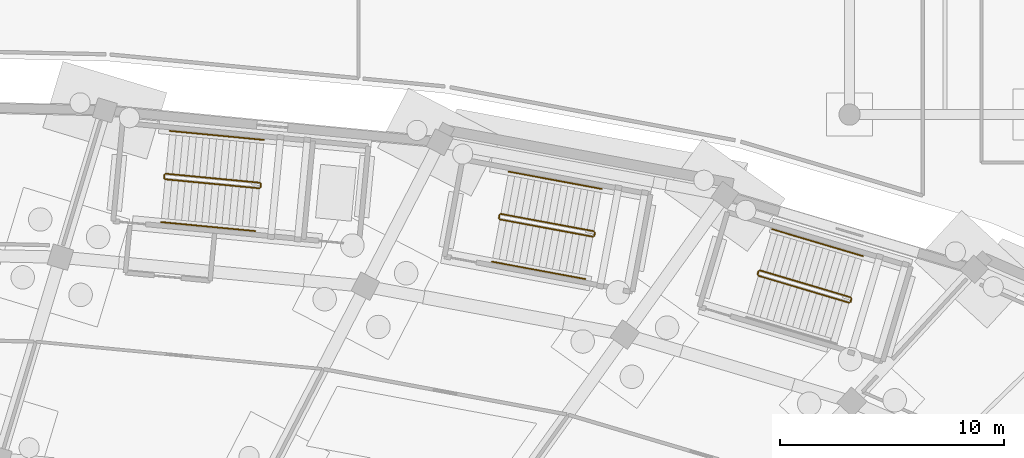
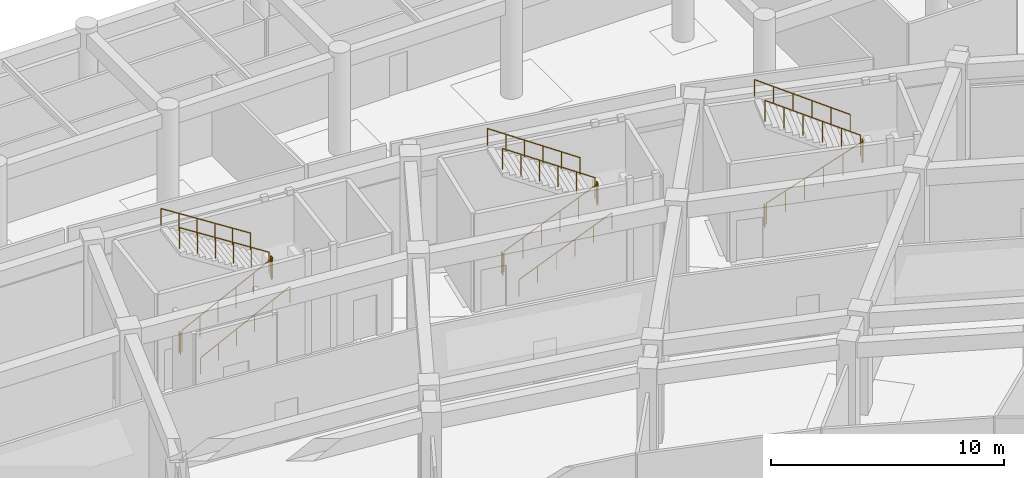
# One storey, part 86 of 88: 17 railings.
"""IFC4 building model written with IfcOpenShell, lengths in metres."""

from ifc_helpers import new_model, si_unit, direction, frame, origin, origin_2d, place, context, subcontext, project, spatial, circle, extrude, material, type_object, element, save


model = new_model("IFC4")

# Units and contexts
model_context = context("Model", 3, precision=1e-05, world=origin(), true_north=direction((0.0, 1.0)))
body_context = subcontext(model_context, "Body", "Model", "MODEL_VIEW")
ifc_project = project(units=[si_unit("LENGTHUNIT", "METRE"), si_unit("AREAUNIT", "SQUARE_METRE"), si_unit("VOLUMEUNIT", "CUBIC_METRE"), si_unit("PLANEANGLEUNIT", "RADIAN"), si_unit("MASSUNIT", "GRAM", prefix="KILO")], contexts=[model_context])

# Site, building, storey
site_placement = place(None, origin())
site = spatial("IfcSite", under=ifc_project, at=site_placement, CompositionType="ELEMENT")
building_placement = place(site_placement, origin())
building = spatial("IfcBuilding", under=site, at=building_placement, Name="Mphavela Belvedere Stadium", CompositionType="ELEMENT")
storey_placement = place(building_placement, origin())
storey = spatial("IfcBuildingStorey", under=building, at=storey_placement, Name="L00", CompositionType="ELEMENT", Elevation=0.0)

# Railings
ifc_material_1 = material(Name="Painted galvanised steel stair guardrail", Category="steel")
railing_type_1 = type_object("IfcRailingType", Name="RAL-GUARD-1120", PredefinedType="GUARDRAIL", material=ifc_material_1)
railing_1_placement = place(storey_placement, frame((139.807861328125, 157.11181640625, 0.179931640625)))
element("IfcRailing", 1, at=railing_1_placement, inside=storey, type_object=railing_type_1, Name="L00 ST-C03 stair guard 1", PredefinedType="GUARDRAIL", context=body_context, shape_type="SweptSolid", body=[
    extrude(circle(Radius=0.02392578125, at=origin_2d()), frame((0.0, 0.0, 1.09619140625), z_axis=(0.855114853653, -0.08159303563, 0.511977698341), x_axis=(0.094986211004, 0.995478588278, 0.0)), (0.0, 0.0, 1.0), 4.922119140625),
    extrude(circle(Radius=0.02099609375, at=origin_2d()), origin(), (0.0, 0.0, 1.0), 1.072021484375),
    extrude(circle(Radius=0.02099609375, at=origin_2d()), frame((0.841796875, -0.080322265625, 0.50390625)), (0.0, 0.0, 1.0), 1.072021484375),
    extrude(circle(Radius=0.02099609375, at=origin_2d()), frame((1.68359375, -0.16064453125, 1.008056640625)), (0.0, 0.0, 1.0), 1.072021484375),
    extrude(circle(Radius=0.02099609375, at=origin_2d()), frame((2.525390625, -0.240966796875, 1.511962890625)), (0.0, 0.0, 1.0), 1.072021484375),
    extrude(circle(Radius=0.02099609375, at=origin_2d()), frame((3.3671875, -0.3212890625, 2.01611328125)), (0.0, 0.0, 1.0), 1.072021484375),
    extrude(circle(Radius=0.02099609375, at=origin_2d()), frame((4.208984375, -0.401611328125, 2.52001953125)), (0.0, 0.0, 1.0), 1.072021484375),
])
railing_2_placement = place(storey_placement, frame((144.0712890625, 156.75537109375, 2.699951171875)))
element("IfcRailing", 2, at=railing_2_placement, inside=storey, type_object=railing_type_1, Name="L00 ST-C03 stair guard 2", PredefinedType="GUARDRAIL", context=body_context, shape_type="SweptSolid", body=[
    extrude(circle(Radius=0.02392578125, at=origin_2d()), frame((0.0, 0.0, 1.09619140625), z_axis=(0.096115938752, 0.995370145382, 0.0), x_axis=(-0.995370145382, 0.096115938752, 0.0)), (0.0, 0.0, 1.0), 0.14990234375),
    extrude(circle(Radius=0.02099609375, at=origin_2d()), origin(), (0.0, 0.0, 1.0), 1.072021484375),
    extrude(circle(Radius=0.02099609375, at=origin_2d()), frame((0.014404296875, 0.149169921875, 0.0)), (0.0, 0.0, 1.0), 1.072021484375),
])
railing_3_placement = place(storey_placement, frame((144.04052734375, 156.959228515625, 2.8798828125)))
element("IfcRailing", 3, at=railing_3_placement, inside=storey, type_object=railing_type_1, Name="L00 ST-C03 stair guard 3", PredefinedType="GUARDRAIL", context=body_context, shape_type="SweptSolid", body=[
    extrude(circle(Radius=0.02392578125, at=origin_2d()), frame((0.0, 0.0, 1.09619140625), z_axis=(-0.855104981132, 0.081547223678, 0.512001485889), x_axis=(-0.094934446144, -0.9954835262, 0.0)), (0.0, 0.0, 1.0), 4.921875),
    extrude(circle(Radius=0.02099609375, at=origin_2d()), origin(), (0.0, 0.0, 1.0), 1.072021484375),
    extrude(circle(Radius=0.02099609375, at=origin_2d()), frame((-0.841796875, 0.080322265625, 0.50390625)), (0.0, 0.0, 1.0), 1.072021484375),
    extrude(circle(Radius=0.02099609375, at=origin_2d()), frame((-1.68359375, 0.16064453125, 1.008056640625)), (0.0, 0.0, 1.0), 1.072021484375),
    extrude(circle(Radius=0.02099609375, at=origin_2d()), frame((-2.525146484375, 0.24072265625, 1.511962890625)), (0.0, 0.0, 1.0), 1.072021484375),
    extrude(circle(Radius=0.02099609375, at=origin_2d()), frame((-3.366943359375, 0.321044921875, 2.01611328125)), (0.0, 0.0, 1.0), 1.072021484375),
    extrude(circle(Radius=0.02099609375, at=origin_2d()), frame((-4.208740234375, 0.4013671875, 2.52001953125)), (0.0, 0.0, 1.0), 1.072021484375),
])
railing_4_placement = place(storey_placement, frame((139.762939453125, 157.166259765625, 0.0)))
element("IfcRailing", 4, at=railing_4_placement, inside=storey, type_object=railing_type_1, Name="L00 ST-C03 stair guard 4", PredefinedType="GUARDRAIL", context=body_context, shape_type="SweptSolid", body=[
    extrude(circle(Radius=0.02392578125, at=origin_2d()), frame((0.0, 0.0, 1.09619140625), z_axis=(0.094348489313, 0.995539232057, 0.0), x_axis=(-0.995539232057, 0.094348489313, 0.0)), (0.0, 0.0, 1.0), 0.150146484375),
    extrude(circle(Radius=0.02099609375, at=origin_2d()), origin(), (0.0, 0.0, 1.0), 1.072021484375),
    extrude(circle(Radius=0.02099609375, at=origin_2d()), frame((0.01416015625, 0.1494140625, 0.0)), (0.0, 0.0, 1.0), 1.072021484375),
])
railing_5_placement = place(storey_placement, frame((166.296875, 152.803955078125, 0.179931640625)))
element("IfcRailing", 5, at=railing_5_placement, inside=storey, type_object=railing_type_1, Name="L00 ST-P01 stair guard 1", PredefinedType="GUARDRAIL", context=body_context, shape_type="SweptSolid", body=[
    extrude(circle(Radius=0.02392578125, at=origin_2d()), frame((0.0, 0.0, 1.09619140625), z_axis=(0.823491828592, -0.244388883235, 0.51199148625), x_axis=(0.284507077541, 0.958673939788, 0.0)), (0.0, 0.0, 1.0), 4.921875),
    extrude(circle(Radius=0.02099609375, at=origin_2d()), origin(), (0.0, 0.0, 1.0), 1.072021484375),
    extrude(circle(Radius=0.02099609375, at=origin_2d()), frame((0.810546875, -0.240478515625, 0.50390625)), (0.0, 0.0, 1.0), 1.072021484375),
    extrude(circle(Radius=0.02099609375, at=origin_2d()), frame((1.621337890625, -0.481201171875, 1.008056640625)), (0.0, 0.0, 1.0), 1.072021484375),
    extrude(circle(Radius=0.02099609375, at=origin_2d()), frame((2.431884765625, -0.7216796875, 1.511962890625)), (0.0, 0.0, 1.0), 1.072021484375),
    extrude(circle(Radius=0.02099609375, at=origin_2d()), frame((3.24267578125, -0.96240234375, 2.01611328125)), (0.0, 0.0, 1.0), 1.072021484375),
    extrude(circle(Radius=0.02099609375, at=origin_2d()), frame((4.05322265625, -1.202880859375, 2.52001953125)), (0.0, 0.0, 1.0), 1.072021484375),
])
railing_6_placement = place(storey_placement, frame((170.412353515625, 151.634765625, 2.699951171875)))
element("IfcRailing", 6, at=railing_6_placement, inside=storey, type_object=railing_type_1, Name="L00 ST-P01 stair guard 2", PredefinedType="GUARDRAIL", context=body_context, shape_type="SweptSolid", body=[
    extrude(circle(Radius=0.02392578125, at=origin_2d()), frame((0.0, 0.0, 1.09619140625), z_axis=(0.284808608521, 0.958584402394, 0.0), x_axis=(-0.958584402394, 0.284808608521, 0.0)), (0.0, 0.0, 1.0), 0.14990234375),
    extrude(circle(Radius=0.02099609375, at=origin_2d()), origin(), (0.0, 0.0, 1.0), 1.072021484375),
    extrude(circle(Radius=0.02099609375, at=origin_2d()), frame((0.042724609375, 0.143798828125, 0.0)), (0.0, 0.0, 1.0), 1.072021484375),
])
railing_7_placement = place(storey_placement, frame((170.42138671875, 151.8408203125, 2.8798828125)))
element("IfcRailing", 7, at=railing_7_placement, inside=storey, type_object=railing_type_1, Name="L00 ST-P01 stair guard 3", PredefinedType="GUARDRAIL", context=body_context, shape_type="SweptSolid", body=[
    extrude(circle(Radius=0.02392578125, at=origin_2d()), frame((0.0, 0.0, 1.09619140625), z_axis=(-0.823491828592, 0.244388883235, 0.51199148625), x_axis=(-0.284507077541, -0.958673939788, 0.0)), (0.0, 0.0, 1.0), 4.921875),
    extrude(circle(Radius=0.02099609375, at=origin_2d()), origin(), (0.0, 0.0, 1.0), 1.072021484375),
    extrude(circle(Radius=0.02099609375, at=origin_2d()), frame((-0.810546875, 0.240478515625, 0.50390625)), (0.0, 0.0, 1.0), 1.072021484375),
    extrude(circle(Radius=0.02099609375, at=origin_2d()), frame((-1.621337890625, 0.481201171875, 1.008056640625)), (0.0, 0.0, 1.0), 1.072021484375),
    extrude(circle(Radius=0.02099609375, at=origin_2d()), frame((-2.431884765625, 0.7216796875, 1.511962890625)), (0.0, 0.0, 1.0), 1.072021484375),
    extrude(circle(Radius=0.02099609375, at=origin_2d()), frame((-3.24267578125, 0.96240234375, 2.01611328125)), (0.0, 0.0, 1.0), 1.072021484375),
    extrude(circle(Radius=0.02099609375, at=origin_2d()), frame((-4.05322265625, 1.202880859375, 2.52001953125)), (0.0, 0.0, 1.0), 1.072021484375),
])
railing_8_placement = place(storey_placement, frame((166.26318359375, 152.8662109375, 0.0)))
element("IfcRailing", 8, at=railing_8_placement, inside=storey, type_object=railing_type_1, Name="L00 ST-P01 stair guard 4", PredefinedType="GUARDRAIL", context=body_context, shape_type="SweptSolid", body=[
    extrude(circle(Radius=0.02392578125, at=origin_2d()), frame((0.0, 0.0, 1.09619140625), z_axis=(0.284808608521, 0.958584402394, 0.0), x_axis=(-0.958584402394, 0.284808608521, 0.0)), (0.0, 0.0, 1.0), 0.14990234375),
    extrude(circle(Radius=0.02099609375, at=origin_2d()), origin(), (0.0, 0.0, 1.0), 1.072021484375),
    extrude(circle(Radius=0.02099609375, at=origin_2d()), frame((0.042724609375, 0.143798828125, 0.0)), (0.0, 0.0, 1.0), 1.072021484375),
])
railing_9_placement = place(storey_placement, frame((154.753173828125, 155.321044921875, 0.179931640625)))
element("IfcRailing", 9, at=railing_9_placement, inside=storey, type_object=railing_type_1, Name="L00 ST-P02 stair guard 1", PredefinedType="GUARDRAIL", context=body_context, shape_type="SweptSolid", body=[
    extrude(circle(Radius=0.02392578125, at=origin_2d()), frame((0.0, 0.0, 1.09619140625), z_axis=(0.844469166388, -0.1572870324, 0.51198888314), x_axis=(0.183106500193, 0.98309308287, 0.0)), (0.0, 0.0, 1.0), 4.922119140625),
    extrude(circle(Radius=0.02099609375, at=origin_2d()), origin(), (0.0, 0.0, 1.0), 1.072021484375),
    extrude(circle(Radius=0.02099609375, at=origin_2d()), frame((0.831298828125, -0.15478515625, 0.50390625)), (0.0, 0.0, 1.0), 1.072021484375),
    extrude(circle(Radius=0.02099609375, at=origin_2d()), frame((1.66259765625, -0.3095703125, 1.008056640625)), (0.0, 0.0, 1.0), 1.072021484375),
    extrude(circle(Radius=0.02099609375, at=origin_2d()), frame((2.493896484375, -0.464599609375, 1.511962890625)), (0.0, 0.0, 1.0), 1.072021484375),
    extrude(circle(Radius=0.02099609375, at=origin_2d()), frame((3.3251953125, -0.619384765625, 2.01611328125)), (0.0, 0.0, 1.0), 1.072021484375),
    extrude(circle(Radius=0.02099609375, at=origin_2d()), frame((4.156494140625, -0.774169921875, 2.52001953125)), (0.0, 0.0, 1.0), 1.072021484375),
])
railing_10_placement = place(storey_placement, frame((158.968017578125, 154.5869140625, 2.699951171875)))
element("IfcRailing", 10, at=railing_10_placement, inside=storey, type_object=railing_type_1, Name="L00 ST-P02 stair guard 2", PredefinedType="GUARDRAIL", context=body_context, shape_type="SweptSolid", body=[
    extrude(circle(Radius=0.02392578125, at=origin_2d()), frame((0.0, 0.0, 1.09619140625), z_axis=(0.183895489382, 0.982945801652, 0.0), x_axis=(-0.982945801652, 0.183895489382, 0.0)), (0.0, 0.0, 1.0), 0.14990234375),
    extrude(circle(Radius=0.02099609375, at=origin_2d()), origin(), (0.0, 0.0, 1.0), 1.072021484375),
    extrude(circle(Radius=0.02099609375, at=origin_2d()), frame((0.027587890625, 0.1474609375, 0.0)), (0.0, 0.0, 1.0), 1.072021484375),
])
railing_11_placement = place(storey_placement, frame((158.95556640625, 154.792724609375, 2.8798828125)))
element("IfcRailing", 11, at=railing_11_placement, inside=storey, type_object=railing_type_1, Name="L00 ST-P02 stair guard 3", PredefinedType="GUARDRAIL", context=body_context, shape_type="SweptSolid", body=[
    extrude(circle(Radius=0.02392578125, at=origin_2d()), frame((0.0, 0.0, 1.09619140625), z_axis=(-0.844475753727, 0.157238657228, 0.511992876944), x_axis=(-0.183050691264, -0.983103475951, 0.0)), (0.0, 0.0, 1.0), 4.921875),
    extrude(circle(Radius=0.02099609375, at=origin_2d()), origin(), (0.0, 0.0, 1.0), 1.072021484375),
    extrude(circle(Radius=0.02099609375, at=origin_2d()), frame((-0.831298828125, 0.15478515625, 0.50390625)), (0.0, 0.0, 1.0), 1.072021484375),
    extrude(circle(Radius=0.02099609375, at=origin_2d()), frame((-1.66259765625, 0.3095703125, 1.008056640625)), (0.0, 0.0, 1.0), 1.072021484375),
    extrude(circle(Radius=0.02099609375, at=origin_2d()), frame((-2.493896484375, 0.46435546875, 1.511962890625)), (0.0, 0.0, 1.0), 1.072021484375),
    extrude(circle(Radius=0.02099609375, at=origin_2d()), frame((-3.3251953125, 0.619140625, 2.01611328125)), (0.0, 0.0, 1.0), 1.072021484375),
    extrude(circle(Radius=0.02099609375, at=origin_2d()), frame((-4.156494140625, 0.77392578125, 2.52001953125)), (0.0, 0.0, 1.0), 1.072021484375),
])
railing_12_placement = place(storey_placement, frame((154.713134765625, 155.379150390625, 0.0)))
element("IfcRailing", 12, at=railing_12_placement, inside=storey, type_object=railing_type_1, Name="L00 ST-P02 stair guard 4", PredefinedType="GUARDRAIL", context=body_context, shape_type="SweptSolid", body=[
    extrude(circle(Radius=0.02392578125, at=origin_2d()), frame((0.0, 0.0, 1.09619140625), z_axis=(0.183895489382, 0.982945801652, 0.0), x_axis=(-0.982945801652, 0.183895489382, 0.0)), (0.0, 0.0, 1.0), 0.14990234375),
    extrude(circle(Radius=0.02099609375, at=origin_2d()), origin(), (0.0, 0.0, 1.0), 1.072021484375),
    extrude(circle(Radius=0.02099609375, at=origin_2d()), frame((0.027587890625, 0.1474609375, 0.0)), (0.0, 0.0, 1.0), 1.072021484375),
])
ifc_material_2 = material(Name="Brushed stainless steel tubular handrail", Category="steel")
railing_type_2 = type_object("IfcRailingType", Name="RAL-HANDRAIL-900", PredefinedType="HANDRAIL", material=ifc_material_2)
railing_13_placement = place(storey_placement, frame((139.625732421875, 155.200439453125, 0.179931640625)))
element("IfcRailing", 13, at=railing_13_placement, inside=storey, type_object=railing_type_2, Name="L00 ST-C03 stair handrail 1", PredefinedType="HANDRAIL", context=body_context, shape_type="SweptSolid", body=[
    extrude(circle(Radius=0.02392578125, at=origin_2d()), frame((0.0, 0.0, 0.8759765625), z_axis=(0.855104981132, -0.081547223678, 0.512001485889), x_axis=(0.094934446144, 0.9954835262, 0.0)), (0.0, 0.0, 1.0), 4.921875),
    extrude(circle(Radius=0.02099609375, at=origin_2d()), origin(), (0.0, 0.0, 1.0), 0.851806640625),
    extrude(circle(Radius=0.02099609375, at=origin_2d()), frame((0.841796875, -0.080322265625, 0.50390625)), (0.0, 0.0, 1.0), 0.851806640625),
    extrude(circle(Radius=0.02099609375, at=origin_2d()), frame((1.68359375, -0.16064453125, 1.008056640625)), (0.0, 0.0, 1.0), 0.851806640625),
    extrude(circle(Radius=0.02099609375, at=origin_2d()), frame((2.525146484375, -0.24072265625, 1.511962890625)), (0.0, 0.0, 1.0), 0.851806640625),
    extrude(circle(Radius=0.02099609375, at=origin_2d()), frame((3.366943359375, -0.321044921875, 2.01611328125)), (0.0, 0.0, 1.0), 0.851806640625),
    extrude(circle(Radius=0.02099609375, at=origin_2d()), frame((4.208740234375, -0.4013671875, 2.52001953125)), (0.0, 0.0, 1.0), 0.851806640625),
])
railing_14_placement = place(storey_placement, frame((144.222900390625, 158.870361328125, 2.8798828125)))
element("IfcRailing", 14, at=railing_14_placement, inside=storey, type_object=railing_type_2, Name="L00 ST-C03 stair handrail 2", PredefinedType="HANDRAIL", context=body_context, shape_type="SweptSolid", body=[
    extrude(circle(Radius=0.02392578125, at=origin_2d()), frame((0.0, 0.0, 0.8759765625), z_axis=(-0.855101521218, 0.081596496456, 0.511999414236), x_axis=(-0.094991671248, -0.995478067259, 0.0)), (0.0, 0.0, 1.0), 4.921875),
    extrude(circle(Radius=0.02099609375, at=origin_2d()), origin(), (0.0, 0.0, 1.0), 0.851806640625),
    extrude(circle(Radius=0.02099609375, at=origin_2d()), frame((-0.841796875, 0.080322265625, 0.50390625)), (0.0, 0.0, 1.0), 0.851806640625),
    extrude(circle(Radius=0.02099609375, at=origin_2d()), frame((-1.68359375, 0.16064453125, 1.008056640625)), (0.0, 0.0, 1.0), 0.851806640625),
    extrude(circle(Radius=0.02099609375, at=origin_2d()), frame((-2.525146484375, 0.240966796875, 1.511962890625)), (0.0, 0.0, 1.0), 0.851806640625),
    extrude(circle(Radius=0.02099609375, at=origin_2d()), frame((-3.366943359375, 0.3212890625, 2.01611328125)), (0.0, 0.0, 1.0), 0.851806640625),
    extrude(circle(Radius=0.02099609375, at=origin_2d()), frame((-4.208740234375, 0.401611328125, 2.52001953125)), (0.0, 0.0, 1.0), 0.851806640625),
])
railing_15_placement = place(storey_placement, frame((170.967529296875, 153.681396484375, 2.8798828125)))
element("IfcRailing", 15, at=railing_15_placement, inside=storey, type_object=railing_type_2, Name="L00 ST-P01 stair handrail 2", PredefinedType="HANDRAIL", context=body_context, shape_type="SweptSolid", body=[
    extrude(circle(Radius=0.02392578125, at=origin_2d()), frame((0.0, 0.0, 0.8759765625), z_axis=(-0.823491828592, 0.244388883235, 0.51199148625), x_axis=(-0.284507077541, -0.958673939788, 0.0)), (0.0, 0.0, 1.0), 4.921875),
    extrude(circle(Radius=0.02099609375, at=origin_2d()), origin(), (0.0, 0.0, 1.0), 0.851806640625),
    extrude(circle(Radius=0.02099609375, at=origin_2d()), frame((-0.810546875, 0.240478515625, 0.50390625)), (0.0, 0.0, 1.0), 0.851806640625),
    extrude(circle(Radius=0.02099609375, at=origin_2d()), frame((-1.621337890625, 0.481201171875, 1.008056640625)), (0.0, 0.0, 1.0), 0.851806640625),
    extrude(circle(Radius=0.02099609375, at=origin_2d()), frame((-2.431884765625, 0.7216796875, 1.511962890625)), (0.0, 0.0, 1.0), 0.851806640625),
    extrude(circle(Radius=0.02099609375, at=origin_2d()), frame((-3.24267578125, 0.96240234375, 2.01611328125)), (0.0, 0.0, 1.0), 0.851806640625),
    extrude(circle(Radius=0.02099609375, at=origin_2d()), frame((-4.05322265625, 1.202880859375, 2.52001953125)), (0.0, 0.0, 1.0), 0.851806640625),
])
railing_16_placement = place(storey_placement, frame((154.401611328125, 153.433349609375, 0.179931640625)))
element("IfcRailing", 16, at=railing_16_placement, inside=storey, type_object=railing_type_2, Name="L00 ST-P02 stair handrail 1", PredefinedType="HANDRAIL", context=body_context, shape_type="SweptSolid", body=[
    extrude(circle(Radius=0.02392578125, at=origin_2d()), frame((0.0, 0.0, 0.8759765625), z_axis=(0.844483394828, -0.15728044432, 0.511967438119), x_axis=(0.183096106217, 0.983095018749, 0.0)), (0.0, 0.0, 1.0), 4.922119140625),
    extrude(circle(Radius=0.02099609375, at=origin_2d()), origin(), (0.0, 0.0, 1.0), 0.851806640625),
    extrude(circle(Radius=0.02099609375, at=origin_2d()), frame((0.831298828125, -0.15478515625, 0.50390625)), (0.0, 0.0, 1.0), 0.851806640625),
    extrude(circle(Radius=0.02099609375, at=origin_2d()), frame((1.66259765625, -0.3095703125, 1.008056640625)), (0.0, 0.0, 1.0), 0.851806640625),
    extrude(circle(Radius=0.02099609375, at=origin_2d()), frame((2.494140625, -0.464599609375, 1.511962890625)), (0.0, 0.0, 1.0), 0.851806640625),
    extrude(circle(Radius=0.02099609375, at=origin_2d()), frame((3.325439453125, -0.619384765625, 2.01611328125)), (0.0, 0.0, 1.0), 0.851806640625),
    extrude(circle(Radius=0.02099609375, at=origin_2d()), frame((4.15673828125, -0.774169921875, 2.52001953125)), (0.0, 0.0, 1.0), 0.851806640625),
])
railing_17_placement = place(storey_placement, frame((159.30712890625, 156.68017578125, 2.8798828125)))
element("IfcRailing", 17, at=railing_17_placement, inside=storey, type_object=railing_type_2, Name="L00 ST-P02 stair handrail 2", PredefinedType="HANDRAIL", context=body_context, shape_type="SweptSolid", body=[
    extrude(circle(Radius=0.02392578125, at=origin_2d()), frame((0.0, 0.0, 0.8759765625), z_axis=(-0.844469166388, 0.1572870324, 0.51198888314), x_axis=(-0.183106500193, -0.98309308287, 0.0)), (0.0, 0.0, 1.0), 4.922119140625),
    extrude(circle(Radius=0.02099609375, at=origin_2d()), origin(), (0.0, 0.0, 1.0), 0.851806640625),
    extrude(circle(Radius=0.02099609375, at=origin_2d()), frame((-0.831298828125, 0.15478515625, 0.50390625)), (0.0, 0.0, 1.0), 0.851806640625),
    extrude(circle(Radius=0.02099609375, at=origin_2d()), frame((-1.66259765625, 0.3095703125, 1.008056640625)), (0.0, 0.0, 1.0), 0.851806640625),
    extrude(circle(Radius=0.02099609375, at=origin_2d()), frame((-2.493896484375, 0.464599609375, 1.511962890625)), (0.0, 0.0, 1.0), 0.851806640625),
    extrude(circle(Radius=0.02099609375, at=origin_2d()), frame((-3.3251953125, 0.619384765625, 2.01611328125)), (0.0, 0.0, 1.0), 0.851806640625),
    extrude(circle(Radius=0.02099609375, at=origin_2d()), frame((-4.156494140625, 0.774169921875, 2.52001953125)), (0.0, 0.0, 1.0), 0.851806640625),
])

save(model, "model.ifc")
